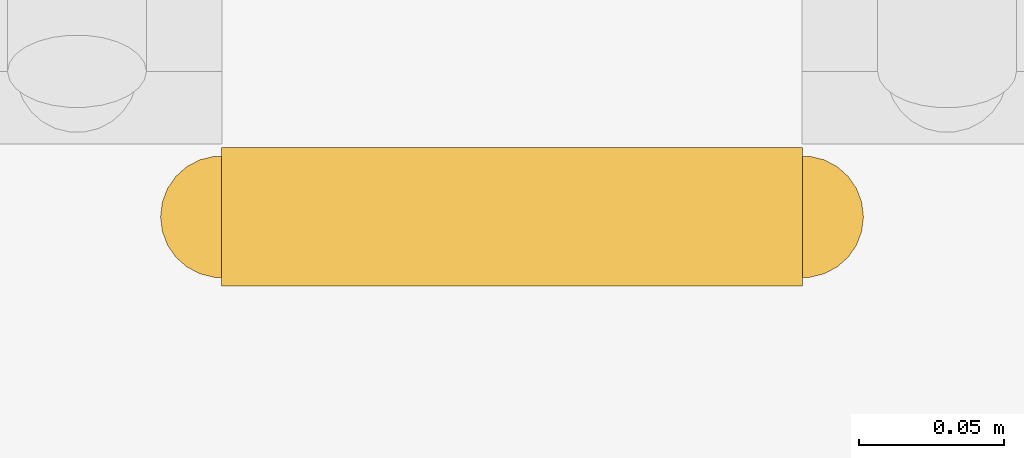
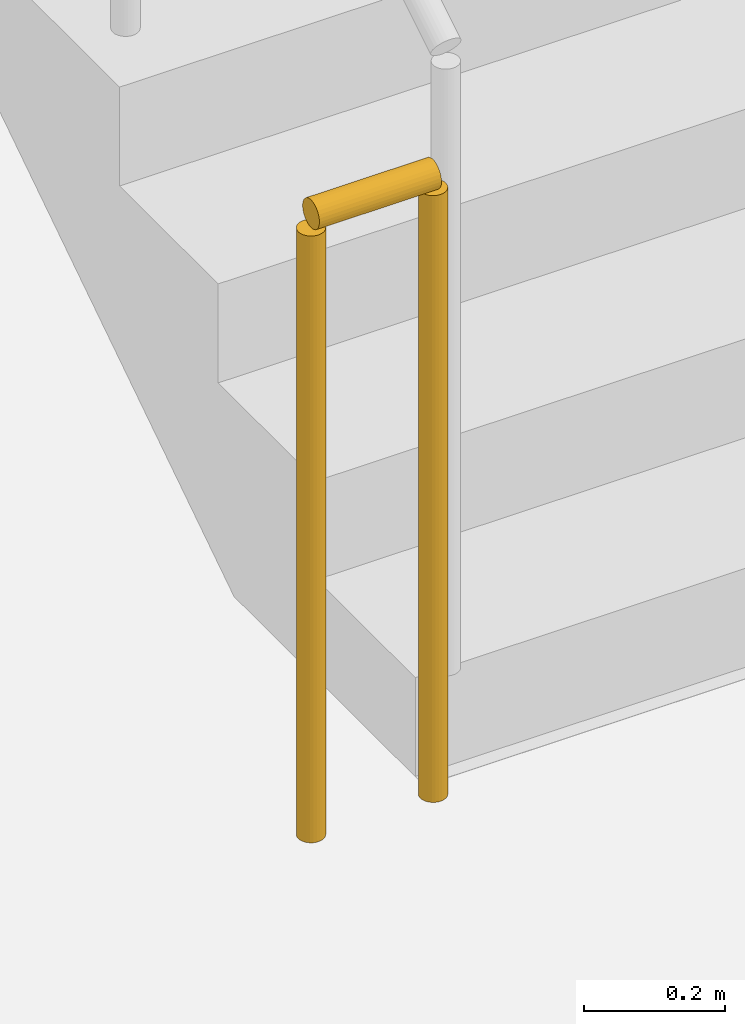
# One storey, part 39 of 51: 1 railing.
"""IFC4 building model written with IfcOpenShell, lengths in metres."""

from ifc_helpers import new_model, si_unit, direction, frame, origin, origin_2d, place, context, subcontext, project, spatial, circle, extrude, material, type_object, element, save


model = new_model("IFC4")

# Units and contexts
model_context = context("Model", 3, precision=1e-05, world=origin(), true_north=direction((0.0, 1.0)))
body_context = subcontext(model_context, "Body", "Model", "MODEL_VIEW")
ifc_project = project(units=[si_unit("LENGTHUNIT", "METRE"), si_unit("AREAUNIT", "SQUARE_METRE"), si_unit("VOLUMEUNIT", "CUBIC_METRE"), si_unit("PLANEANGLEUNIT", "RADIAN"), si_unit("MASSUNIT", "GRAM", prefix="KILO")], contexts=[model_context])

# Site, building, storey
site_placement = place(None, origin())
site = spatial("IfcSite", under=ifc_project, at=site_placement, CompositionType="ELEMENT")
building_placement = place(site_placement, origin())
building = spatial("IfcBuilding", under=site, at=building_placement, Name="Varncliffe General Hospital", CompositionType="ELEMENT")
storey_placement = place(building_placement, frame((0.0, 0.0, -4.800048828125)))
storey = spatial("IfcBuildingStorey", under=building, at=storey_placement, Name="B1", CompositionType="ELEMENT", Elevation=-4.800048828125)

# Railing
ifc_material = material(Name="Powder-coated hospital steel guardrail and handrail", Category="steel")
railing_type = type_object("IfcRailingType", Name="Stairwell Guardrail SG49", PredefinedType="GUARDRAIL", material=ifc_material)
railing_placement = place(storey_placement, frame((38.35009765625, 90.550048828125, 0.0)))
element("IfcRailing", 1, at=railing_placement, inside=storey, type_object=railing_type, Name="B1 ST13 stair guard 4", PredefinedType="GUARDRAIL", context=body_context, shape_type="SweptSolid", body=[
    extrude(circle(Radius=0.02392578125, at=origin_2d()), frame((0.0, 0.0, 1.076171875), z_axis=(-1.0, 0.0, 0.0), x_axis=(0.0, -1.0, 0.0)), (0.0, 0.0, 1.0), 0.2001953125),
    extrude(circle(Radius=0.02099609375, at=origin_2d()), origin(), (0.0, 0.0, 1.0), 1.052001953125),
    extrude(circle(Radius=0.02099609375, at=origin_2d()), frame((-0.2001953125, 0.0, 0.0)), (0.0, 0.0, 1.0), 1.052001953125),
])

save(model, "model.ifc")
